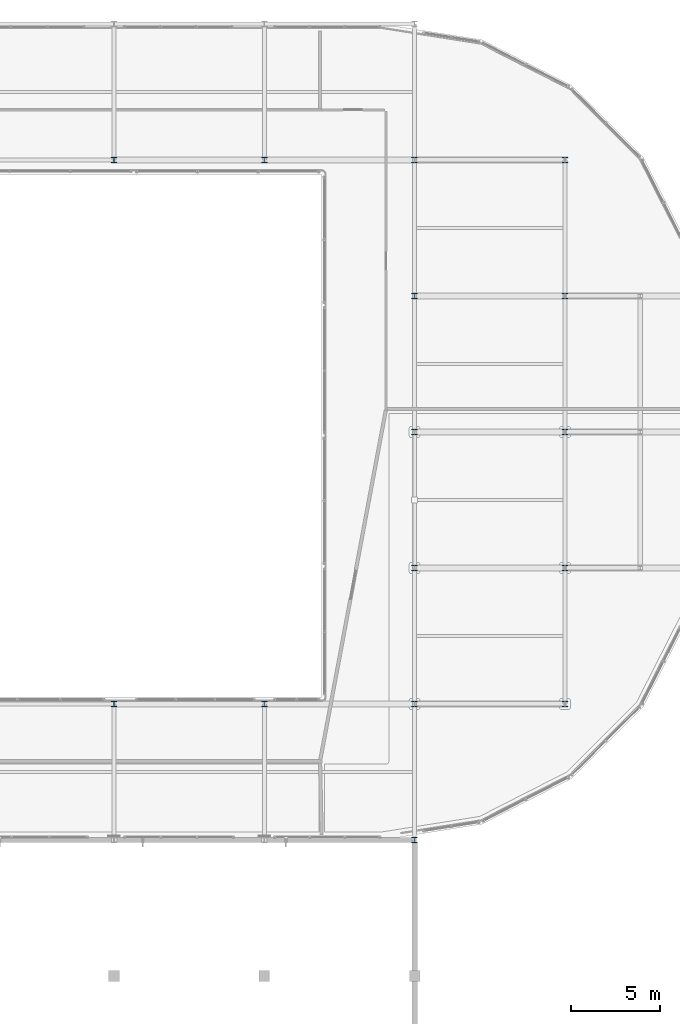
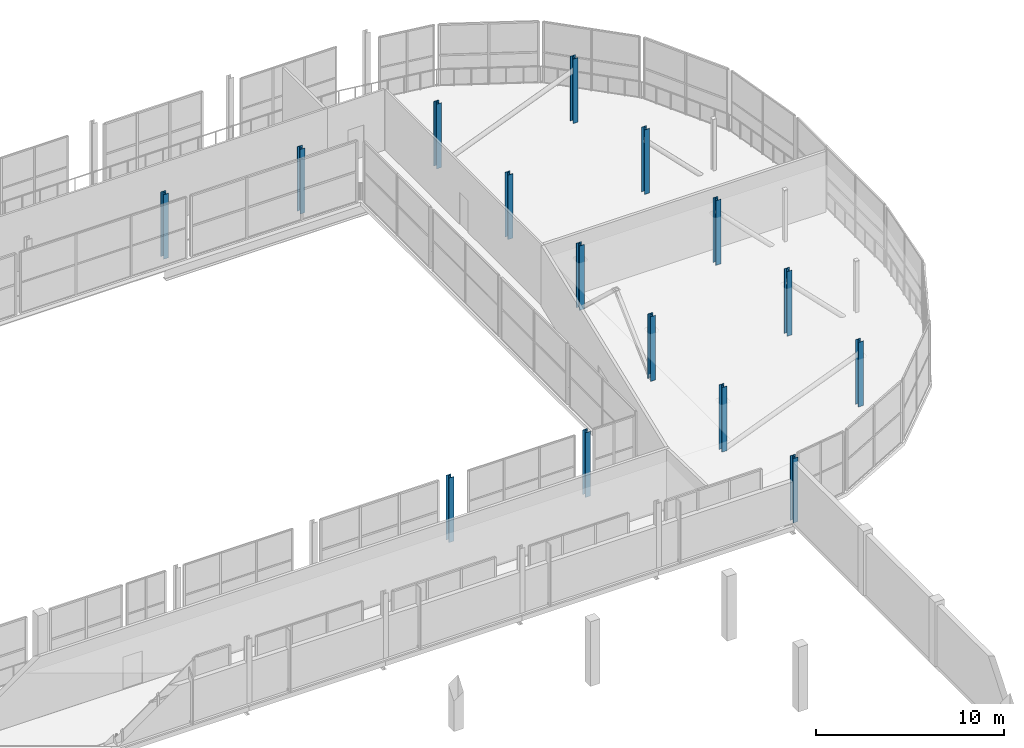
# One storey, part 11 of 151: 15 columns.
"""IFC4 building model written with IfcOpenShell, lengths in metres."""

import ifcopenshell
import ifcopenshell.guid

model = None  # the IFC model being written
_history = None  # IfcOwnerHistory: only IFC2X3 demands one
_inside = {}  # id of a spatial element -> (the spatial element, [elements in it])
_under = {}  # id of a project, library or spatial element -> (it, [spatial elements below it])
_declared = {}  # id of a project -> (the project, [libraries it declares])
_typed = {}  # id of a type object -> (the type object, [elements of that type])
_made_of = {}  # id of a material, layer set ... -> (it, [elements and type objects made of it])


def new_model(schema):
    """Start an empty IFC model of exactly this schema.

    Asked for "IFC4X3", IfcOpenShell would pick the latest addendum, in which some entities
    have other attributes; the version numbers below select the first issue.
    IFC2X3 requires an IfcOwnerHistory on every rooted entity: one is made here for all.
    """
    global model, _history
    if schema == "IFC4X3":
        model = ifcopenshell.file(schema_version=(4, 3, 0, 0))
    else:
        model = ifcopenshell.file(schema=schema)
    _inside.clear()
    _under.clear()
    _declared.clear()
    _typed.clear()
    _made_of.clear()
    _history = None
    if model.schema == "IFC2X3":
        org = make("IfcOrganization", Name="unknown")
        user = make(
            "IfcPersonAndOrganization",
            ThePerson=make("IfcPerson", FamilyName="unknown"),
            TheOrganization=org,
        )
        app = make(
            "IfcApplication",
            ApplicationDeveloper=org,
            Version="unknown",
            ApplicationFullName="unknown",
            ApplicationIdentifier="unknown",
        )
        _history = make(
            "IfcOwnerHistory",
            OwningUser=user,
            OwningApplication=app,
            ChangeAction="ADDED",
            CreationDate=0,
        )
    return model


def make(cls, **values):
    """One entity of the class cls with the attributes given. An attribute that is None is left unset."""
    return model.create_entity(
        cls, **{name: value for name, value in values.items() if value is not None}
    )


def rooted(cls, **values):
    """An entity with a GlobalId (a new one), such as an element, a storey or a relation."""
    return make(cls, GlobalId=ifcopenshell.guid.new(), OwnerHistory=_history, **values)


def si_unit(unit_type, name, prefix=None):
    """IfcSIUnit, for example si_unit("LENGTHUNIT", "METRE", prefix="MILLI")."""
    return make("IfcSIUnit", UnitType=unit_type, Prefix=prefix, Name=name)


def assignment(units):
    """IfcUnitAssignment: the units of a project."""
    return None if units is None else make("IfcUnitAssignment", Units=units)


def point(xyz):
    """IfcCartesianPoint."""
    return None if xyz is None else make("IfcCartesianPoint", Coordinates=xyz)


def direction(xyz):
    """IfcDirection."""
    return None if xyz is None else make("IfcDirection", DirectionRatios=xyz)


def frame(location, z_axis=None, x_axis=None):
    """IfcAxis2Placement3D, a coordinate frame: its origin and axes. An axis left out is left unset."""
    return make(
        "IfcAxis2Placement3D",
        Location=point(location),
        Axis=direction(z_axis),
        RefDirection=direction(x_axis),
    )


def frame_2d(location, x_axis=None):
    """IfcAxis2Placement2D, a coordinate frame in the plane: its origin and x axis."""
    return make(
        "IfcAxis2Placement2D", Location=point(location), RefDirection=direction(x_axis)
    )


def origin():
    """The frame at (0, 0, 0) with its axes left unset."""
    return frame((0.0, 0.0, 0.0))


def origin_2d():
    """The frame at (0, 0) in the plane with its x axis left unset."""
    return frame_2d((0.0, 0.0))


def place(relative_to, where):
    """IfcLocalPlacement: puts the frame where relative to a parent placement (None: the world)."""
    return make(
        "IfcLocalPlacement", PlacementRelTo=relative_to, RelativePlacement=where
    )


def context(
    kind, dimensions, precision=None, world=None, true_north=None, identifier=None
):
    """IfcGeometricRepresentationContext, for example the 3D "Model" context."""
    return make(
        "IfcGeometricRepresentationContext",
        ContextIdentifier=identifier,
        ContextType=kind,
        CoordinateSpaceDimension=dimensions,
        Precision=precision,
        WorldCoordinateSystem=world,
        TrueNorth=true_north,
    )


def subcontext(parent, identifier, kind, view, scale=None):
    """IfcGeometricRepresentationSubContext, for example "Body" below "Model"."""
    return make(
        "IfcGeometricRepresentationSubContext",
        ContextIdentifier=identifier,
        ContextType=kind,
        ParentContext=parent,
        TargetScale=scale,
        TargetView=view,
    )


def project(units=None, contexts=None):
    """IfcProject with its units and contexts."""
    return rooted(
        "IfcProject",
        Name="project",
        RepresentationContexts=contexts,
        UnitsInContext=assignment(units),
    )


def spatial(cls, under=None, at=None, **own):
    """A site, building, storey or space (cls), placed at a placement, below another one or the project."""
    s = rooted(cls, ObjectPlacement=at, **own)
    if under is not None:
        _under.setdefault(under.id(), (under, []))[1].append(s)
    return s


def profile(cls, at=None, kind="AREA", **sizes):
    """A parametric profile (cls). Its sizes go by their IFC names, for example OverallWidth=200.0."""
    return make(cls, ProfileType=kind, Position=at, **sizes)


def i_section(**sizes):
    """IfcIShapeProfileDef."""
    return profile("IfcIShapeProfileDef", **sizes)


def extrude(swept, where, along, depth):
    """IfcExtrudedAreaSolid: the profile swept, set in the frame where, extruded along a direction by depth."""
    return make(
        "IfcExtrudedAreaSolid",
        SweptArea=swept,
        Position=where,
        ExtrudedDirection=direction(along),
        Depth=depth,
    )


def shape(context_of_items, identifier, shape_type, items):
    """IfcShapeRepresentation: the items that make up one representation, for example the "Body"."""
    return make(
        "IfcShapeRepresentation",
        ContextOfItems=context_of_items,
        RepresentationIdentifier=identifier,
        RepresentationType=shape_type,
        Items=items,
    )


def material(Name=None, Category=None):
    """IfcMaterial."""
    return make("IfcMaterial", Name=Name, Category=Category)


def material_profile(
    of_material, cross_section, Name=None, Category=None, Priority=None
):
    """IfcMaterialProfile: a cross section and its material."""
    return make(
        "IfcMaterialProfile",
        Name=Name,
        Material=of_material,
        Profile=cross_section,
        Priority=Priority,
        Category=Category,
    )


def profile_set(profiles, Name=None, composite=None):
    """IfcMaterialProfileSet."""
    return make(
        "IfcMaterialProfileSet",
        Name=Name,
        MaterialProfiles=profiles,
        CompositeProfile=composite,
    )


def made_of(thing, what):
    """Note that an element or type object is made of a material, layer set ...; save() writes the relation."""
    if what is not None:
        _made_of.setdefault(what.id(), (what, []))[1].append(thing)
    return thing


def type_object(cls, material=None, **own):
    """A type object (cls), such as IfcWallType, which elements share."""
    return made_of(rooted(cls, **own), material)


def element(
    cls,
    number,
    at=None,
    inside=None,
    cuts=None,
    type_object=None,
    material=None,
    context=None,
    identifier="Body",
    shape_type=None,
    held_by="IfcProductDefinitionShape",
    body=None,
    shapes=None,
    **own,
):
    """One element of the class cls, such as IfcWall. Its Tag is "e" and its number.

    at: its placement. inside: the storey or other place that contains it. cuts: it is an
    opening in that element (IfcRelVoidsElement). A single representation is given by context,
    identifier, shape_type and body (its items); several are given by shapes. held_by: the class
    of the entity that holds the representations. save() writes the other relations.
    """
    e = rooted(cls, Tag="e%d" % number, ObjectPlacement=at, **own)
    if body is not None:
        shapes = [shape(context, identifier, shape_type, body)]
    if shapes is not None:
        e.Representation = make(held_by, Representations=shapes)
    if inside is not None:
        _inside.setdefault(inside.id(), (inside, []))[1].append(e)
    if cuts is not None:
        rooted(
            "IfcRelVoidsElement", RelatingBuildingElement=cuts, RelatedOpeningElement=e
        )
    if type_object is not None:
        _typed.setdefault(type_object.id(), (type_object, []))[1].append(e)
    return made_of(e, material)


def aggregate(whole, parts):
    """IfcRelAggregates: a whole, such as a stair, and the parts it consists of."""
    return rooted("IfcRelAggregates", RelatingObject=whole, RelatedObjects=parts)


def save(model, path):
    """Write the relations noted so far, then the file.

    IfcRelAggregates (storeys below a building ...), IfcRelContainedInSpatialStructure (elements
    in a storey), IfcRelDefinesByType, IfcRelAssociatesMaterial and IfcRelDeclares: one each for
    every whole, place, type object, material and project.
    """
    for whole, parts in _under.values():
        aggregate(whole, parts)
    for where, things in _inside.values():
        rooted(
            "IfcRelContainedInSpatialStructure",
            RelatedElements=things,
            RelatingStructure=where,
        )
    for kind, things in _typed.values():
        rooted("IfcRelDefinesByType", RelatedObjects=things, RelatingType=kind)
    for what, things in _made_of.values():
        rooted("IfcRelAssociatesMaterial", RelatedObjects=things, RelatingMaterial=what)
    for by, libraries in _declared.values():
        rooted("IfcRelDeclares", RelatingContext=by, RelatedDefinitions=libraries)
    model.write(path)


model = new_model("IFC4")

# Units and contexts
model_context = context("Model", 3, precision=1e-05, world=origin(), true_north=direction((0.0, 1.0)))
body_context = subcontext(model_context, "Body", "Model", "MODEL_VIEW")
ifc_project = project(units=[si_unit("LENGTHUNIT", "METRE"), si_unit("AREAUNIT", "SQUARE_METRE"), si_unit("VOLUMEUNIT", "CUBIC_METRE"), si_unit("PLANEANGLEUNIT", "RADIAN"), si_unit("MASSUNIT", "GRAM", prefix="KILO")], contexts=[model_context])

# Site, building, storey
site_placement = place(None, origin())
site = spatial("IfcSite", under=ifc_project, at=site_placement, CompositionType="ELEMENT")
building_placement = place(site_placement, origin())
building = spatial("IfcBuilding", under=site, at=building_placement, Name="Zuvorla Pavilion Media Centre", CompositionType="ELEMENT")
storey_placement = place(building_placement, frame((0.0, 0.0, 13.800048828125)))
storey = spatial("IfcBuildingStorey", under=building, at=storey_placement, Name="L03", CompositionType="ELEMENT", Elevation=13.800048828125)

# Columns
ifc_material = material(Name="Steel S355", Category="steel")
ifc_material_profile = material_profile(ifc_material, i_section(OverallWidth=0.30908203125, OverallDepth=0.320556640625, WebThickness=0.013916015625, FlangeThickness=0.021728515625, FilletRadius=0.01513671875, at=origin_2d()), Name="UC 305x305x137")
ifc_profile_set = profile_set([ifc_material_profile], Name="Steel S355")
column_type = type_object("IfcColumnType", Name="COL-UC305", PredefinedType="COLUMN", material=ifc_profile_set)
for number, where, z_axis, x_axis, name in (
    (1, (159.199951171875, 44.0, 0.0), (0.0, 0.0, 1.0), (1.0, 0.0, 0.0), "L03 column C10 572"),
    (2, (142.39990234375, 51.60009765625, 0.0), (0.0, 0.0, 1.0), (1.0, 0.0, 0.0), "L03 column C10 652"),
    (3, (150.800048828125, 51.60009765625, 0.0), (0.0, 0.0, 1.0), (1.0, 0.0, 0.0), "L03 column C10 657"),
    (4, (159.199951171875, 51.60009765625, 0.0), (0.0, 0.0, 1.0), (1.0, 0.0, 0.0), "L03 column C10 662"),
    (5, (167.60009765625, 51.60009765625, 0.0), (0.0, 0.0, 1.0), (1.0, 0.0, 0.0), "L03 column C10 667"),
    (6, (159.199951171875, 59.199951171875, 0.0), (0.0, 0.0, 1.0), (1.0, 0.0, 0.0), "L03 column C10 688"),
    (7, (167.60009765625, 59.199951171875, 0.0), (0.0, 0.0, 1.0), (1.0, 0.0, 0.0), "L03 column C10 693"),
    (8, (159.199951171875, 66.800048828125, 0.0), (0.0, 0.0, 1.0), (1.0, 0.0, 0.0), "L03 column C10 712"),
    (9, (167.60009765625, 66.800048828125, 0.0), (0.0, 0.0, 1.0), (1.0, 0.0, 0.0), "L03 column C10 717"),
    (10, (159.199951171875, 74.39990234375, 0.0), (0.0, 0.0, 1.0), (1.0, 0.0, 0.0), "L03 column C10 736"),
    (11, (167.60009765625, 74.39990234375, 0.0), (0.0, 0.0, 1.0), (1.0, 0.0, 0.0), "L03 column C10 741"),
    (12, (142.39990234375, 82.0, 0.0), (0.0, 0.0, 1.0), (1.0, 0.0, 0.0), "L03 column C10 821"),
    (13, (150.800048828125, 82.0, 0.0), (0.0, 0.0, 1.0), (1.0, 0.0, 0.0), "L03 column C10 826"),
    (14, (159.199951171875, 82.0, 0.0), (0.0, 0.0, 1.0), (1.0, 0.0, 0.0), "L03 column C10 831"),
    (15, (167.60009765625, 82.0, 0.0), (0.0, 0.0, 1.0), (1.0, 0.0, 0.0), "L03 column C10 836"),
):
    element("IfcColumn", number, at=place(storey_placement, frame(where, z_axis=z_axis, x_axis=x_axis)), inside=storey, type_object=column_type, Name=name, PredefinedType="COLUMN", context=body_context, shape_type="SweptSolid", body=[
        extrude(i_section(OverallWidth=0.30908203125, OverallDepth=0.320556640625, WebThickness=0.013916015625, FlangeThickness=0.021728515625, FilletRadius=0.01513671875, at=origin_2d()), origin(), (0.0, 0.0, 1.0), 4.199951171875),
    ])

save(model, "model.ifc")
